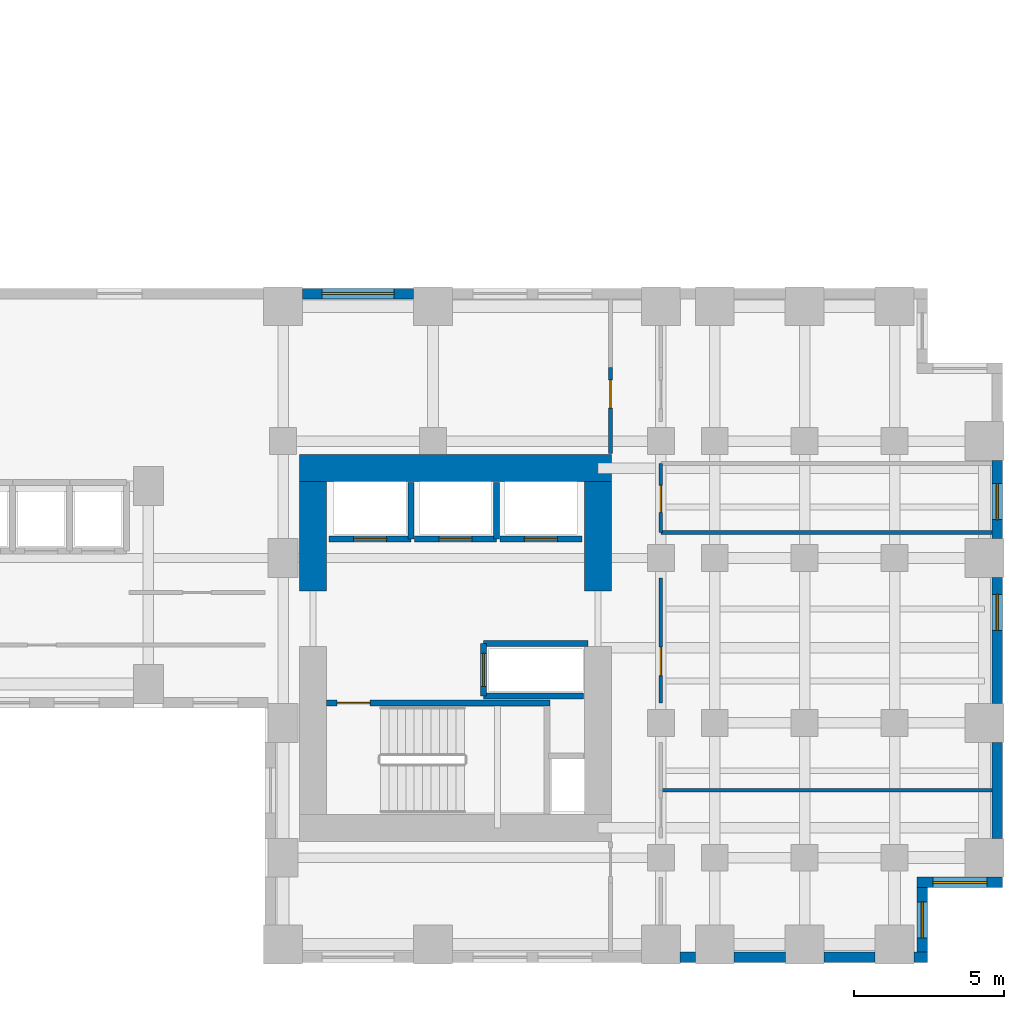
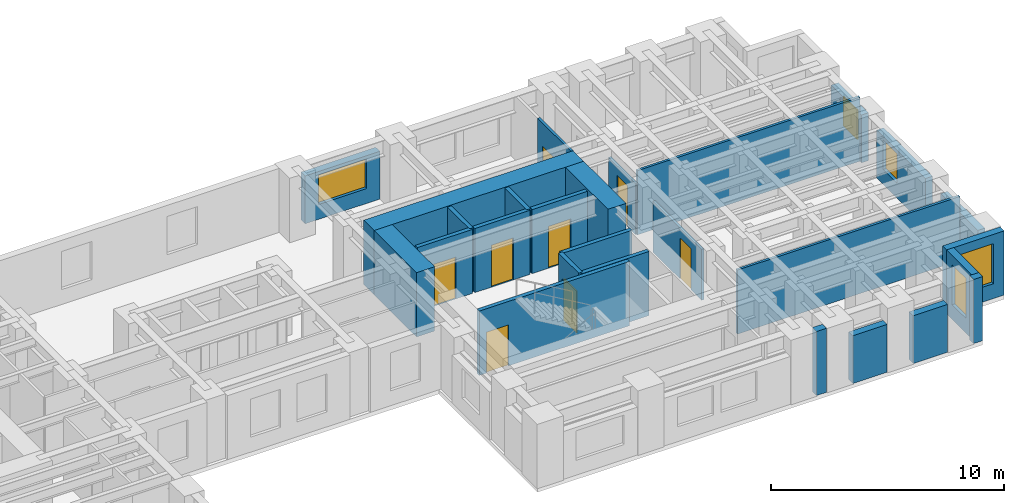
# One storey, part 7 of 11: 27 walls, 8 doors, 5 windows, 13 openings.
"""IFC4 building model written with IfcOpenShell, lengths in metres."""

from ifc_helpers import new_model, si_unit, direction, frame, frame_2d, origin, place, context, subcontext, project, spatial, rectangle, extrude, source, transform, mapped, material, layer, layer_set, type_object, element, fill, save


model = new_model("IFC4")

# Units and contexts
model_context = context("Model", 3, precision=1e-05, world=origin(), true_north=direction((0.0, 1.0)))
body_context = subcontext(model_context, "Body", "Model", "MODEL_VIEW")
ifc_project = project(units=[si_unit("LENGTHUNIT", "METRE"), si_unit("AREAUNIT", "SQUARE_METRE"), si_unit("VOLUMEUNIT", "CUBIC_METRE"), si_unit("PLANEANGLEUNIT", "RADIAN"), si_unit("MASSUNIT", "GRAM", prefix="KILO")], contexts=[model_context])

# Site, building, storey
site_placement = place(None, origin())
site = spatial("IfcSite", under=ifc_project, at=site_placement, CompositionType="ELEMENT")
building_placement = place(site_placement, origin())
building = spatial("IfcBuilding", under=site, at=building_placement, Name="Kharzan Plaza Tower", CompositionType="ELEMENT")
storey_placement = place(building_placement, frame((0.0, 0.0, 54.89990234375)))
storey = spatial("IfcBuildingStorey", under=building, at=storey_placement, Name="L14", CompositionType="ELEMENT", Elevation=54.89990234375)

# Wall, opening, window
ifc_material_1 = material(Name="Concrete C40/50", Category="concrete")
ifc_layer_1 = layer(ifc_material_1, 0.35009765625)
ifc_layer_set_1 = layer_set([ifc_layer_1], Name="Concrete C40/50")
wall_type_1 = type_object("IfcWallType", Name="WL-EXT-MAS-Z1", PredefinedType="SOLIDWALL", material=ifc_layer_set_1)
wall_1_placement = place(storey_placement, frame((56.324951171875, 0.347900390625, 0.0), z_axis=(0.0, 0.0, 1.0), x_axis=(0.0, 1.0, 0.0)))
wall_1 = element("IfcWall", 1, at=wall_1_placement, inside=storey, type_object=wall_type_1, Name="L14 Masonry-Frame Exterior Wall 39", PredefinedType="SOLIDWALL", context=body_context, shape_type="SweptSolid", body=[
    extrude(rectangle(XDim=2.154052734375, YDim=0.35009765625, at=frame_2d((1.0771484375, 0.0))), origin(), (0.0, 0.0, 1.0), 3.364990234375),
])
opening_1_placement = place(wall_1_placement, frame((0.47705078125, 0.0, 0.780029296875)))
opening_1 = element("IfcOpeningElement", 2, at=opening_1_placement, cuts=wall_1, Name="Opening W3", PredefinedType="OPENING", context=body_context, shape_type="SweptSolid", body=[
    extrude(rectangle(XDim=1.199951171875, YDim=2.10009765625, at=frame_2d((0.60009765625, 1.050048828125))), frame((0.0, 0.18505859375, 0.0), z_axis=(0.0, -1.0, 0.0), x_axis=(1.0, 0.0, 0.0)), (0.0, 0.0, 1.0), 0.3701171875),
])
ifc_material_2 = material(Name="Low-E Double Glazing", Category="glass")
window_type_1 = type_object("IfcWindowType", Name="WN-REC-1200x2100", PartitioningType="SINGLE_PANEL", PredefinedType="WINDOW", material=ifc_material_2)
shared_shape_1 = source(origin(), body_context, "Body", "SweptSolid", [
    extrude(rectangle(XDim=1.199951171875, YDim=2.10009765625, at=frame_2d((0.60009765625, 1.050048828125))), frame((0.0, 0.030029296875, 0.0), z_axis=(0.0, -1.0, 0.0), x_axis=(1.0, 0.0, 0.0)), (0.0, 0.0, 1.0), 0.06005859375),
])
window_1_placement = place(opening_1_placement, origin())
window_1 = element("IfcWindow", 3, at=window_1_placement, inside=storey, type_object=window_type_1, Name="L14 Recessed Solar-Control Window 39-1", OverallHeight=2.10009765625, OverallWidth=1.199951171875, PartitioningType="SINGLE_PANEL", PredefinedType="WINDOW", context=body_context, shape_type="MappedRepresentation", body=[
    mapped(shared_shape_1, transform((0.0, 0.0, 0.0), x_axis=(1.0, 0.0, 0.0), y_axis=(0.0, 1.0, 0.0), z_axis=(0.0, 0.0, 1.0))),
])
fill(opening_1, window_1)

wall_2_placement = place(storey_placement, frame((56.14990234375, 2.675048828125, 0.0), z_axis=(0.0, 0.0, 1.0), x_axis=(1.0, 0.0, 0.0)))
wall_2 = element("IfcWall", 4, at=wall_2_placement, inside=storey, type_object=wall_type_1, Name="L14 Masonry-Frame Exterior Wall 40", PredefinedType="SOLIDWALL", context=body_context, shape_type="SweptSolid", body=[
    extrude(rectangle(XDim=2.85009765625, YDim=0.35009765625, at=frame_2d((1.425048828125, 0.0))), origin(), (0.0, 0.0, 1.0), 3.364990234375),
])
opening_2_placement = place(wall_2_placement, frame((0.52490234375, 0.0, 0.780029296875)))
opening_2 = element("IfcOpeningElement", 5, at=opening_2_placement, cuts=wall_2, Name="Opening W1", PredefinedType="OPENING", context=body_context, shape_type="SweptSolid", body=[
    extrude(rectangle(XDim=1.800048828125, YDim=2.10009765625, at=frame_2d((0.89990234375, 1.050048828125))), frame((0.0, 0.18505859375, 0.0), z_axis=(0.0, -1.0, 0.0), x_axis=(1.0, 0.0, 0.0)), (0.0, 0.0, 1.0), 0.3701171875),
])
window_type_2 = type_object("IfcWindowType", Name="WN-REC-1800x2100", PartitioningType="SINGLE_PANEL", PredefinedType="WINDOW", material=ifc_material_2)
shared_shape_2 = source(origin(), body_context, "Body", "SweptSolid", [
    extrude(rectangle(XDim=1.800048828125, YDim=2.10009765625, at=frame_2d((0.89990234375, 1.050048828125))), frame((0.0, 0.030029296875, 0.0), z_axis=(0.0, -1.0, 0.0), x_axis=(1.0, 0.0, 0.0)), (0.0, 0.0, 1.0), 0.06005859375),
])
window_2_placement = place(opening_2_placement, origin())
window_2 = element("IfcWindow", 6, at=window_2_placement, inside=storey, type_object=window_type_2, Name="L14 Recessed Solar-Control Window 40-1", OverallHeight=2.10009765625, OverallWidth=1.800048828125, PartitioningType="SINGLE_PANEL", PredefinedType="WINDOW", context=body_context, shape_type="MappedRepresentation", body=[
    mapped(shared_shape_2, transform((0.0, 0.0, 0.0), x_axis=(1.0, 0.0, 0.0), y_axis=(0.0, 1.0, 0.0), z_axis=(0.0, 0.0, 1.0))),
])
fill(opening_2, window_2)

wall_3_placement = place(storey_placement, frame((58.824951171875, 8.64794921875, 0.0), z_axis=(0.0, 0.0, 1.0), x_axis=(0.0, 1.0, 0.0)))
wall_3 = element("IfcWall", 7, at=wall_3_placement, inside=storey, type_object=wall_type_1, Name="L14 Masonry-Frame Exterior Wall 42", PredefinedType="SOLIDWALL", context=body_context, shape_type="SweptSolid", body=[
    extrude(rectangle(XDim=4.2041015625, YDim=0.35009765625, at=frame_2d((2.10205078125, 0.0))), origin(), (0.0, 0.0, 1.0), 2.510009765625),
])
opening_3_placement = place(wall_3_placement, frame((2.436767578125, 0.0, 0.780029296875)))
opening_3 = element("IfcOpeningElement", 8, at=opening_3_placement, cuts=wall_3, Name="Opening W3", PredefinedType="OPENING", context=body_context, shape_type="SweptSolid", body=[
    extrude(rectangle(XDim=1.199951171875, YDim=1.550048828125, at=frame_2d((0.60009765625, 0.77490234375))), frame((0.0, 0.18505859375, 0.0), z_axis=(0.0, -1.0, 0.0), x_axis=(1.0, 0.0, 0.0)), (0.0, 0.0, 1.0), 0.3701171875),
])
shared_shape_3 = source(origin(), body_context, "Body", "SweptSolid", [
    extrude(rectangle(XDim=1.199951171875, YDim=1.550048828125, at=frame_2d((0.60009765625, 0.77490234375))), frame((0.0, 0.030029296875, 0.0), z_axis=(0.0, -1.0, 0.0), x_axis=(1.0, 0.0, 0.0)), (0.0, 0.0, 1.0), 0.06005859375),
])
window_3_placement = place(opening_3_placement, origin())
window_3 = element("IfcWindow", 9, at=window_3_placement, inside=storey, type_object=window_type_1, Name="L14 Recessed Solar-Control Window 42-1", OverallHeight=1.550048828125, OverallWidth=1.199951171875, PartitioningType="SINGLE_PANEL", PredefinedType="WINDOW", context=body_context, shape_type="MappedRepresentation", body=[
    mapped(shared_shape_3, transform((0.0, 0.0, 0.0), x_axis=(1.0, 0.0, 0.0), y_axis=(0.0, 1.0, 0.0), z_axis=(0.0, 0.0, 1.0))),
])
fill(opening_3, window_3)

wall_4_placement = place(storey_placement, frame((58.824951171875, 14.14794921875, 0.0), z_axis=(0.0, 0.0, 1.0), x_axis=(0.0, 1.0, 0.0)))
wall_4 = element("IfcWall", 10, at=wall_4_placement, inside=storey, type_object=wall_type_1, Name="L14 Masonry-Frame Exterior Wall 43", PredefinedType="SOLIDWALL", context=body_context, shape_type="SweptSolid", body=[
    extrude(rectangle(XDim=2.60400390625, YDim=0.35009765625, at=frame_2d((1.302001953125, 0.0))), origin(), (0.0, 0.0, 1.0), 2.510009765625),
])
opening_4_placement = place(wall_4_placement, frame((0.63330078125, 0.0, 0.780029296875)))
opening_4 = element("IfcOpeningElement", 11, at=opening_4_placement, cuts=wall_4, Name="Opening W3", PredefinedType="OPENING", context=body_context, shape_type="SweptSolid", body=[
    extrude(rectangle(XDim=1.199951171875, YDim=1.550048828125, at=frame_2d((0.60009765625, 0.77490234375))), frame((0.0, 0.18505859375, 0.0), z_axis=(0.0, -1.0, 0.0), x_axis=(1.0, 0.0, 0.0)), (0.0, 0.0, 1.0), 0.3701171875),
])
window_4_placement = place(opening_4_placement, origin())
window_4 = element("IfcWindow", 12, at=window_4_placement, inside=storey, type_object=window_type_1, Name="L14 Recessed Solar-Control Window 43-1", OverallHeight=1.550048828125, OverallWidth=1.199951171875, PartitioningType="SINGLE_PANEL", PredefinedType="WINDOW", context=body_context, shape_type="MappedRepresentation", body=[
    mapped(shared_shape_3, transform((0.0, 0.0, 0.0), x_axis=(1.0, 0.0, 0.0), y_axis=(0.0, 1.0, 0.0), z_axis=(0.0, 0.0, 1.0))),
])
fill(opening_4, window_4)

wall_5_placement = place(storey_placement, frame((39.35205078125, 22.324951171875, 0.0), z_axis=(0.0, 0.0, 1.0), x_axis=(-1.0, 0.0, 0.0)))
wall_5 = element("IfcWall", 13, at=wall_5_placement, inside=storey, type_object=wall_type_1, Name="L14 Masonry-Frame Exterior Wall 52", PredefinedType="SOLIDWALL", context=body_context, shape_type="SweptSolid", body=[
    extrude(rectangle(XDim=3.7041015625, YDim=0.35009765625, at=frame_2d((1.85205078125, 0.0))), origin(), (0.0, 0.0, 1.0), 2.510009765625),
])
opening_5_placement = place(wall_5_placement, frame((0.652099609375, 0.0, 0.780029296875)))
opening_5 = element("IfcOpeningElement", 14, at=opening_5_placement, cuts=wall_5, Name="Opening W2", PredefinedType="OPENING", context=body_context, shape_type="SweptSolid", body=[
    extrude(rectangle(XDim=2.39990234375, YDim=1.550048828125, at=frame_2d((1.199951171875, 0.77490234375))), frame((0.0, 0.18505859375, 0.0), z_axis=(0.0, -1.0, 0.0), x_axis=(1.0, 0.0, 0.0)), (0.0, 0.0, 1.0), 0.3701171875),
])
window_type_3 = type_object("IfcWindowType", Name="WN-REC-2400x2100", PartitioningType="SINGLE_PANEL", PredefinedType="WINDOW", material=ifc_material_2)
shared_shape_4 = source(origin(), body_context, "Body", "SweptSolid", [
    extrude(rectangle(XDim=2.39990234375, YDim=1.550048828125, at=frame_2d((1.199951171875, 0.77490234375))), frame((0.0, 0.030029296875, 0.0), z_axis=(0.0, -1.0, 0.0), x_axis=(1.0, 0.0, 0.0)), (0.0, 0.0, 1.0), 0.06005859375),
])
window_5_placement = place(opening_5_placement, origin())
window_5 = element("IfcWindow", 15, at=window_5_placement, inside=storey, type_object=window_type_3, Name="L14 Wide Recessed Solar-Control Window 52-1", OverallHeight=1.550048828125, OverallWidth=2.39990234375, PartitioningType="SINGLE_PANEL", PredefinedType="WINDOW", context=body_context, shape_type="MappedRepresentation", body=[
    mapped(shared_shape_4, transform((0.0, 0.0, 0.0), x_axis=(1.0, 0.0, 0.0), y_axis=(0.0, 1.0, 0.0), z_axis=(0.0, 0.0, 1.0))),
])
fill(opening_5, window_5)

# Wall, opening, door
ifc_material_3 = material(Name="Fire-Rated Gypsum Board Partition", Category="gypsum")
ifc_layer_2 = layer(ifc_material_3, 0.125)
ifc_layer_set_2 = layer_set([ifc_layer_2], Name="Fire-Rated Gypsum Board Partition")
wall_type_2 = type_object("IfcWallType", Name="WL-INT-PART-125", PredefinedType="PARTITIONING", material=ifc_layer_set_2)
wall_6_placement = place(storey_placement, frame((47.60009765625, 8.659912109375, 0.0), z_axis=(0.0, 0.0, 1.0), x_axis=(0.0, 1.0, 0.0)))
wall_6 = element("IfcWall", 16, at=wall_6_placement, inside=storey, type_object=wall_type_2, Name="L14 Interior Partition SH-B3W1-S2", PredefinedType="PARTITIONING", context=body_context, shape_type="SweptSolid", body=[
    extrude(rectangle(XDim=4.18017578125, YDim=0.125, at=frame_2d((2.090087890625, 0.0))), origin(), (0.0, 0.0, 1.0), 2.670166015625),
])
opening_6_placement = place(wall_6_placement, frame((0.9150390625, 0.0, 0.0)))
opening_6 = element("IfcOpeningElement", 17, at=opening_6_placement, cuts=wall_6, Name="Opening OD1", PredefinedType="OPENING", context=body_context, shape_type="SweptSolid", body=[
    extrude(rectangle(XDim=0.949951171875, YDim=2.14990234375, at=frame_2d((0.47509765625, 1.074951171875))), frame((0.0, 0.072509765625, 0.0), z_axis=(0.0, -1.0, 0.0), x_axis=(1.0, 0.0, 0.0)), (0.0, 0.0, 1.0), 0.14501953125),
])
ifc_material_4 = material(Name="Acoustic Solid-Core Stained Oak", Category="timber")
door_type_1 = type_object("IfcDoorType", Name="DR-OFF-SINGLE", OperationType="NOTDEFINED", PredefinedType="DOOR", material=ifc_material_4)
shared_shape_5 = source(origin(), body_context, "Body", "SweptSolid", [
    extrude(rectangle(XDim=0.949951171875, YDim=2.14990234375, at=frame_2d((0.47509765625, 1.074951171875))), frame((0.0, 0.02490234375, 0.0), z_axis=(0.0, -1.0, 0.0), x_axis=(1.0, 0.0, 0.0)), (0.0, 0.0, 1.0), 0.050048828125),
])
door_1_placement = place(opening_6_placement, origin())
door_1 = element("IfcDoor", 18, at=door_1_placement, inside=storey, type_object=door_type_1, Name="L14 Wing B Office 2 Door", OperationType="SINGLE_SWING_RIGHT", OverallHeight=2.14990234375, OverallWidth=0.949951171875, PredefinedType="DOOR", context=body_context, shape_type="MappedRepresentation", body=[
    mapped(shared_shape_5, transform((0.0, 0.0, 0.0), x_axis=(1.0, 0.0, 0.0), y_axis=(0.0, 1.0, 0.0), z_axis=(0.0, 0.0, 1.0))),
])
fill(opening_6, door_1)

wall_7_placement = place(storey_placement, frame((47.60009765625, 14.35009765625, 0.0), z_axis=(0.0, 0.0, 1.0), x_axis=(0.0, 1.0, 0.0)))
wall_7 = element("IfcWall", 19, at=wall_7_placement, inside=storey, type_object=wall_type_2, Name="L14 Interior Partition SH-B3WC", PredefinedType="PARTITIONING", context=body_context, shape_type="SweptSolid", body=[
    extrude(rectangle(XDim=2.2998046875, YDim=0.125, at=frame_2d((1.14990234375, 0.0))), origin(), (0.0, 0.0, 1.0), 2.670166015625),
])
opening_7_placement = place(wall_7_placement, frame((0.675048828125, 0.0, 0.0)))
opening_7 = element("IfcOpeningElement", 20, at=opening_7_placement, cuts=wall_7, Name="Opening WD1", PredefinedType="OPENING", context=body_context, shape_type="SweptSolid", body=[
    extrude(rectangle(XDim=0.89990234375, YDim=2.14990234375, at=frame_2d((0.449951171875, 1.074951171875))), frame((0.0, 0.072509765625, 0.0), z_axis=(0.0, -1.0, 0.0), x_axis=(1.0, 0.0, 0.0)), (0.0, 0.0, 1.0), 0.14501953125),
])
ifc_material_5 = material(Name="Moisture-Resistant Fire-Rated Laminate", Category="timber")
door_type_2 = type_object("IfcDoorType", Name="DR-WC-900", OperationType="NOTDEFINED", PredefinedType="DOOR", material=ifc_material_5)
shared_shape_6 = source(origin(), body_context, "Body", "SweptSolid", [
    extrude(rectangle(XDim=0.89990234375, YDim=2.14990234375, at=frame_2d((0.449951171875, 1.074951171875))), frame((0.0, 0.02490234375, 0.0), z_axis=(0.0, -1.0, 0.0), x_axis=(1.0, 0.0, 0.0)), (0.0, 0.0, 1.0), 0.050048828125),
])
door_2_placement = place(opening_7_placement, origin())
door_2 = element("IfcDoor", 21, at=door_2_placement, inside=storey, type_object=door_type_2, Name="L14 Wing B Washroom Door", OperationType="SINGLE_SWING_LEFT", OverallHeight=2.14990234375, OverallWidth=0.89990234375, PredefinedType="DOOR", context=body_context, shape_type="MappedRepresentation", body=[
    mapped(shared_shape_6, transform((0.0, 0.0, 0.0), x_axis=(1.0, 0.0, 0.0), y_axis=(0.0, 1.0, 0.0), z_axis=(0.0, 0.0, 1.0))),
])
fill(opening_7, door_2)

wall_8_placement = place(storey_placement, frame((45.919921875, 16.97998046875, 0.0), z_axis=(0.0, 0.0, 1.0), x_axis=(0.0, 1.0, 0.0)))
wall_8 = element("IfcWall", 22, at=wall_8_placement, inside=storey, type_object=wall_type_2, Name="L14 Interior Partition SH-RBNE", PredefinedType="PARTITIONING", context=body_context, shape_type="SweptSolid", body=[
    extrude(rectangle(XDim=2.8701171875, YDim=0.125, at=frame_2d((1.43505859375, 0.0))), origin(), (0.0, 0.0, 1.0), 3.364990234375),
])
opening_8_placement = place(wall_8_placement, frame((1.51708984375, 0.0, 0.0)))
opening_8 = element("IfcOpeningElement", 23, at=opening_8_placement, cuts=wall_8, Name="Opening OD1", PredefinedType="OPENING", context=body_context, shape_type="SweptSolid", body=[
    extrude(rectangle(XDim=0.949951171875, YDim=2.14990234375, at=frame_2d((0.47509765625, 1.074951171875))), frame((0.0, 0.072509765625, 0.0), z_axis=(0.0, -1.0, 0.0), x_axis=(1.0, 0.0, 0.0)), (0.0, 0.0, 1.0), 0.14501953125),
])
door_3_placement = place(opening_8_placement, origin())
door_3 = element("IfcDoor", 24, at=door_3_placement, inside=storey, type_object=door_type_1, Name="L14 Wing B North Studio Door", OperationType="SINGLE_SWING_RIGHT", OverallHeight=2.14990234375, OverallWidth=0.949951171875, PredefinedType="DOOR", context=body_context, shape_type="MappedRepresentation", body=[
    mapped(shared_shape_5, transform((0.0, 0.0, 0.0), x_axis=(1.0, 0.0, 0.0), y_axis=(0.0, 1.0, 0.0), z_axis=(0.0, 0.0, 1.0))),
])
fill(opening_8, door_3)

ifc_layer_3 = layer(ifc_material_1, 0.199951171875)
ifc_layer_set_3 = layer_set([ifc_layer_3], Name="Concrete C40/50")
wall_type_3 = type_object("IfcWallType", Name="WL-INT-SHAFT-200", PredefinedType="PARTITIONING", material=ifc_layer_set_3)
wall_9_placement = place(storey_placement, frame((36.530029296875, 14.1298828125, 0.0), z_axis=(0.0, 0.0, 1.0), x_axis=(1.0, 0.0, 0.0)))
wall_9 = element("IfcWall", 25, at=wall_9_placement, inside=storey, type_object=wall_type_3, Name="L14 Interior Partition SHF-PL-L1-S", PredefinedType="PARTITIONING", context=body_context, shape_type="SweptSolid", body=[
    extrude(rectangle(XDim=2.739990234375, YDim=0.199951171875, at=frame_2d((1.3701171875, 0.0))), origin(), (0.0, 0.0, 1.0), 3.364990234375),
])
opening_9_placement = place(wall_9_placement, frame((0.820068359375, 0.0, 0.0)))
opening_9 = element("IfcOpeningElement", 26, at=opening_9_placement, cuts=wall_9, Name="Opening LD", PredefinedType="OPENING", context=body_context, shape_type="SweptSolid", body=[
    extrude(rectangle(XDim=1.10009765625, YDim=2.199951171875, at=frame_2d((0.550048828125, 1.10009765625))), frame((0.0, 0.10986328125, 0.0), z_axis=(0.0, -1.0, 0.0), x_axis=(1.0, 0.0, 0.0)), (0.0, 0.0, 1.0), 0.219970703125),
])
ifc_material_6 = material(Name="Brushed Stainless Steel", Category="steel")
door_type_3 = type_object("IfcDoorType", Name="DR-LIFT-SLIDE", OperationType="SLIDING_TO_LEFT", PredefinedType="DOOR", material=ifc_material_6)
shared_shape_7 = source(origin(), body_context, "Body", "SweptSolid", [
    extrude(rectangle(XDim=1.10009765625, YDim=2.199951171875, at=frame_2d((0.550048828125, 1.10009765625))), frame((0.0, 0.02490234375, 0.0), z_axis=(0.0, -1.0, 0.0), x_axis=(1.0, 0.0, 0.0)), (0.0, 0.0, 1.0), 0.050048828125),
])
door_4_placement = place(opening_9_placement, origin())
door_4 = element("IfcDoor", 27, at=door_4_placement, inside=storey, type_object=door_type_3, Name="L14 Low-Rise Passenger Lift PL-L1 Sliding Landing Door", OperationType="SLIDING_TO_LEFT", OverallHeight=2.199951171875, OverallWidth=1.10009765625, PredefinedType="DOOR", context=body_context, shape_type="MappedRepresentation", body=[
    mapped(shared_shape_7, transform((0.0, 0.0, 0.0), x_axis=(1.0, 0.0, 0.0), y_axis=(0.0, 1.0, 0.0), z_axis=(0.0, 0.0, 1.0))),
])
fill(opening_9, door_4)

wall_10_placement = place(storey_placement, frame((39.3798828125, 14.1298828125, 0.0), z_axis=(0.0, 0.0, 1.0), x_axis=(1.0, 0.0, 0.0)))
wall_10 = element("IfcWall", 28, at=wall_10_placement, inside=storey, type_object=wall_type_3, Name="L14 Interior Partition SHF-PL-L2-S", PredefinedType="PARTITIONING", context=body_context, shape_type="SweptSolid", body=[
    extrude(rectangle(XDim=2.740234375, YDim=0.199951171875, at=frame_2d((1.3701171875, 0.0))), origin(), (0.0, 0.0, 1.0), 3.364990234375),
])
opening_10_placement = place(wall_10_placement, frame((0.820068359375, 0.0, 0.0)))
opening_10 = element("IfcOpeningElement", 29, at=opening_10_placement, cuts=wall_10, Name="Opening LD", PredefinedType="OPENING", context=body_context, shape_type="SweptSolid", body=[
    extrude(rectangle(XDim=1.10009765625, YDim=2.199951171875, at=frame_2d((0.550048828125, 1.10009765625))), frame((0.0, 0.10986328125, 0.0), z_axis=(0.0, -1.0, 0.0), x_axis=(1.0, 0.0, 0.0)), (0.0, 0.0, 1.0), 0.219970703125),
])
door_5_placement = place(opening_10_placement, origin())
door_5 = element("IfcDoor", 30, at=door_5_placement, inside=storey, type_object=door_type_3, Name="L14 Low-Rise Passenger Lift PL-L2 Sliding Landing Door", OperationType="SLIDING_TO_LEFT", OverallHeight=2.199951171875, OverallWidth=1.10009765625, PredefinedType="DOOR", context=body_context, shape_type="MappedRepresentation", body=[
    mapped(shared_shape_7, transform((0.0, 0.0, 0.0), x_axis=(1.0, 0.0, 0.0), y_axis=(0.0, 1.0, 0.0), z_axis=(0.0, 0.0, 1.0))),
])
fill(opening_10, door_5)

wall_11_placement = place(storey_placement, frame((42.22998046875, 14.1298828125, 0.0), z_axis=(0.0, 0.0, 1.0), x_axis=(1.0, 0.0, 0.0)))
wall_11 = element("IfcWall", 31, at=wall_11_placement, inside=storey, type_object=wall_type_3, Name="L14 Interior Partition SHF-PL-L3-S", PredefinedType="PARTITIONING", context=body_context, shape_type="SweptSolid", body=[
    extrude(rectangle(XDim=2.739990234375, YDim=0.199951171875, at=frame_2d((1.3701171875, 0.0))), origin(), (0.0, 0.0, 1.0), 3.364990234375),
])
opening_11_placement = place(wall_11_placement, frame((0.820068359375, 0.0, 0.0)))
opening_11 = element("IfcOpeningElement", 32, at=opening_11_placement, cuts=wall_11, Name="Opening LD", PredefinedType="OPENING", context=body_context, shape_type="SweptSolid", body=[
    extrude(rectangle(XDim=1.10009765625, YDim=2.199951171875, at=frame_2d((0.550048828125, 1.10009765625))), frame((0.0, 0.10986328125, 0.0), z_axis=(0.0, -1.0, 0.0), x_axis=(1.0, 0.0, 0.0)), (0.0, 0.0, 1.0), 0.219970703125),
])
door_6_placement = place(opening_11_placement, origin())
door_6 = element("IfcDoor", 33, at=door_6_placement, inside=storey, type_object=door_type_3, Name="L14 Low-Rise Passenger Lift PL-L3 Sliding Landing Door", OperationType="SLIDING_TO_LEFT", OverallHeight=2.199951171875, OverallWidth=1.10009765625, PredefinedType="DOOR", context=body_context, shape_type="MappedRepresentation", body=[
    mapped(shared_shape_7, transform((0.0, 0.0, 0.0), x_axis=(1.0, 0.0, 0.0), y_axis=(0.0, 1.0, 0.0), z_axis=(0.0, 0.0, 1.0))),
])
fill(opening_11, door_6)

wall_12_placement = place(storey_placement, frame((41.679931640625, 8.89990234375, 0.0), z_axis=(0.0, 0.0, 1.0), x_axis=(0.0, 1.0, 0.0)))
wall_12 = element("IfcWall", 34, at=wall_12_placement, inside=storey, type_object=wall_type_3, Name="L14 Interior Partition SHF-SVL-2-W", PredefinedType="PARTITIONING", context=body_context, shape_type="SweptSolid", body=[
    extrude(rectangle(XDim=1.739990234375, YDim=0.199951171875, at=frame_2d((0.8701171875, 0.0))), origin(), (0.0, 0.0, 1.0), 3.364990234375),
])
opening_12_placement = place(wall_12_placement, frame((0.320068359375, 0.0, 0.0)))
opening_12 = element("IfcOpeningElement", 35, at=opening_12_placement, cuts=wall_12, Name="Opening LD", PredefinedType="OPENING", context=body_context, shape_type="SweptSolid", body=[
    extrude(rectangle(XDim=1.10009765625, YDim=2.199951171875, at=frame_2d((0.550048828125, 1.10009765625))), frame((0.0, 0.10986328125, 0.0), z_axis=(0.0, -1.0, 0.0), x_axis=(1.0, 0.0, 0.0)), (0.0, 0.0, 1.0), 0.219970703125),
])
door_7_placement = place(opening_12_placement, origin())
door_7 = element("IfcDoor", 36, at=door_7_placement, inside=storey, type_object=door_type_3, Name="L14 Service Lift SVL-2 Sliding Landing Door", OperationType="SLIDING_TO_LEFT", OverallHeight=2.199951171875, OverallWidth=1.10009765625, PredefinedType="DOOR", context=body_context, shape_type="MappedRepresentation", body=[
    mapped(shared_shape_7, transform((0.0, 0.0, 0.0), x_axis=(1.0, 0.0, 0.0), y_axis=(0.0, 1.0, 0.0), z_axis=(0.0, 0.0, 1.0))),
])
fill(opening_12, door_7)

ifc_material_7 = material(Name="Concrete C50/60", Category="concrete")
ifc_layer_4 = layer(ifc_material_7, 0.199951171875)
ifc_layer_set_4 = layer_set([ifc_layer_4], Name="Concrete C50/60")
wall_type_4 = type_object("IfcWallType", Name="WL-SHAFT-RC200", PredefinedType="SHEAR", material=ifc_layer_set_4)
wall_13_placement = place(storey_placement, frame((36.451904296875, 8.655029296875, 0.0), z_axis=(0.0, 0.0, 1.0), x_axis=(1.0, 0.0, 0.0)))
wall_13 = element("IfcWall", 37, at=wall_13_placement, inside=storey, type_object=wall_type_4, Name="L14 Stair ST-3 North RC Shaft Wall", PredefinedType="SHEAR", context=body_context, shape_type="SweptSolid", body=[
    extrude(rectangle(XDim=7.453125, YDim=0.199951171875, at=frame_2d((3.7265625, 0.0))), origin(), (0.0, 0.0, 1.0), 3.380126953125),
])
opening_13_placement = place(wall_13_placement, frame((0.35009765625, 0.0, 0.0)))
opening_13 = element("IfcOpeningElement", 38, at=opening_13_placement, cuts=wall_13, Name="Opening SD1", PredefinedType="OPENING", context=body_context, shape_type="SweptSolid", body=[
    extrude(rectangle(XDim=1.10009765625, YDim=2.14990234375, at=frame_2d((0.550048828125, 1.074951171875))), frame((0.0, 0.10986328125, 0.0), z_axis=(0.0, -1.0, 0.0), x_axis=(1.0, 0.0, 0.0)), (0.0, 0.0, 1.0), 0.219970703125),
])
ifc_material_8 = material(Name="Fire-Rated Hollow Galvanized Steel", Category="steel")
door_type_4 = type_object("IfcDoorType", Name="DR-STAIR-FD120", OperationType="NOTDEFINED", PredefinedType="DOOR", material=ifc_material_8)
shared_shape_8 = source(origin(), body_context, "Body", "SweptSolid", [
    extrude(rectangle(XDim=1.10009765625, YDim=2.14990234375, at=frame_2d((0.550048828125, 1.074951171875))), frame((0.0, 0.02490234375, 0.0), z_axis=(0.0, -1.0, 0.0), x_axis=(1.0, 0.0, 0.0)), (0.0, 0.0, 1.0), 0.050048828125),
])
door_8_placement = place(opening_13_placement, origin())
door_8 = element("IfcDoor", 39, at=door_8_placement, inside=storey, type_object=door_type_4, Name="L14 Stair ST-3 Fire Exit Door", OperationType="SINGLE_SWING_RIGHT", OverallHeight=2.14990234375, OverallWidth=1.10009765625, PredefinedType="DOOR", context=body_context, shape_type="MappedRepresentation", body=[
    mapped(shared_shape_8, transform((0.0, 0.0, 0.0), x_axis=(1.0, 0.0, 0.0), y_axis=(0.0, 1.0, 0.0), z_axis=(0.0, 0.0, 1.0))),
])
fill(opening_13, door_8)

# Walls
shared_shape_9 = source(origin(), body_context, "Body", "SweptSolid", [
    extrude(rectangle(XDim=0.50390625, YDim=0.35009765625, at=frame_2d((0.251953125, 0.0))), origin(), (0.0, 0.0, 1.0), 3.364990234375),
])
wall_14_placement = place(storey_placement, frame((48.248046875, 0.175048828125, 0.0), z_axis=(0.0, 0.0, 1.0), x_axis=(1.0, 0.0, 0.0)))
element("IfcWall", 40, at=wall_14_placement, inside=storey, type_object=wall_type_1, Name="L14 Masonry-Frame Exterior Wall 35", PredefinedType="SOLIDWALL", context=body_context, shape_type="MappedRepresentation", body=[
    mapped(shared_shape_9, transform((0.0, 0.0, 0.0), x_axis=(1.0, 0.0, 0.0), y_axis=(0.0, 1.0, 0.0), z_axis=(0.0, 0.0, 1.0))),
])
shared_shape_10 = source(origin(), body_context, "Body", "SweptSolid", [
    extrude(rectangle(XDim=1.703857421875, YDim=0.35009765625, at=frame_2d((0.85205078125, 0.0))), origin(), (0.0, 0.0, 1.0), 2.510009765625),
])
for number, where, z_axis, x_axis, name in (
    (41, (50.048095703125, 0.175048828125, 0.0), (0.0, 0.0, 1.0), (1.0, 0.0, 0.0), "L14 Masonry-Frame Exterior Wall 36"),
    (42, (53.048095703125, 0.175048828125, 0.0), (0.0, 0.0, 1.0), (1.0, 0.0, 0.0), "L14 Masonry-Frame Exterior Wall 37"),
):
    element("IfcWall", number, at=place(storey_placement, frame(where, z_axis=z_axis, x_axis=x_axis)), inside=storey, type_object=wall_type_1, Name=name, PredefinedType="SOLIDWALL", context=body_context, shape_type="MappedRepresentation", body=[
        mapped(shared_shape_10, transform((0.0, 0.0, 0.0), x_axis=(1.0, 0.0, 0.0), y_axis=(0.0, 1.0, 0.0), z_axis=(0.0, 0.0, 1.0))),
    ])
shared_shape_11 = source(origin(), body_context, "Body", "SweptSolid", [
    extrude(rectangle(XDim=0.451904296875, YDim=0.35009765625, at=frame_2d((0.22607421875, 0.0))), origin(), (0.0, 0.0, 1.0), 3.364990234375),
])
wall_15_placement = place(storey_placement, frame((56.048095703125, 0.175048828125, 0.0), z_axis=(0.0, 0.0, 1.0), x_axis=(1.0, 0.0, 0.0)))
element("IfcWall", 43, at=wall_15_placement, inside=storey, type_object=wall_type_1, Name="L14 Masonry-Frame Exterior Wall 38", PredefinedType="SOLIDWALL", context=body_context, shape_type="MappedRepresentation", body=[
    mapped(shared_shape_11, transform((0.0, 0.0, 0.0), x_axis=(1.0, 0.0, 0.0), y_axis=(0.0, 1.0, 0.0), z_axis=(0.0, 0.0, 1.0))),
])
shared_shape_12 = source(origin(), body_context, "Body", "SweptSolid", [
    extrude(rectangle(XDim=3.2041015625, YDim=0.35009765625, at=frame_2d((1.60205078125, 0.0))), origin(), (0.0, 0.0, 1.0), 2.510009765625),
])
wall_16_placement = place(storey_placement, frame((58.824951171875, 4.14794921875, 0.0), z_axis=(0.0, 0.0, 1.0), x_axis=(0.0, 1.0, 0.0)))
element("IfcWall", 44, at=wall_16_placement, inside=storey, type_object=wall_type_1, Name="L14 Masonry-Frame Exterior Wall 41", PredefinedType="SOLIDWALL", context=body_context, shape_type="MappedRepresentation", body=[
    mapped(shared_shape_12, transform((0.0, 0.0, 0.0), x_axis=(1.0, 0.0, 0.0), y_axis=(0.0, 1.0, 0.0), z_axis=(0.0, 0.0, 1.0))),
])
shared_shape_13 = source(origin(), body_context, "Body", "SweptSolid", [
    extrude(rectangle(XDim=11.0478515625, YDim=0.125, at=frame_2d((5.52392578125, 0.0))), origin(), (0.0, 0.0, 1.0), 3.364990234375),
])
for number, where, z_axis, x_axis, name in (
    (45, (47.60009765625, 14.35009765625, 0.0), (0.0, 0.0, 1.0), (1.0, 0.0, 0.0), "L14 Interior Partition SH-B3H-143"),
    (46, (47.60009765625, 5.75, 0.0), (0.0, 0.0, 1.0), (1.0, 0.0, 0.0), "L14 Interior Partition SH-B3H-57"),
):
    element("IfcWall", number, at=place(storey_placement, frame(where, z_axis=z_axis, x_axis=x_axis)), inside=storey, type_object=wall_type_2, Name=name, PredefinedType="PARTITIONING", context=body_context, shape_type="MappedRepresentation", body=[
        mapped(shared_shape_13, transform((0.0, 0.0, 0.0), x_axis=(1.0, 0.0, 0.0), y_axis=(0.0, 1.0, 0.0), z_axis=(0.0, 0.0, 1.0))),
    ])
shared_shape_14 = source(origin(), body_context, "Body", "SweptSolid", [
    extrude(rectangle(XDim=1.89013671875, YDim=0.199951171875, at=frame_2d((0.945068359375, 0.0))), origin(), (0.0, 0.0, 1.0), 3.364990234375),
])
for number, where, z_axis, x_axis, name in (
    (47, (39.27001953125, 14.1298828125, 0.0), (0.0, 0.0, 1.0), (0.0, 1.0, 0.0), "L14 Interior Partition SHF-PL-L1-E"),
    (48, (42.1201171875, 14.1298828125, 0.0), (0.0, 0.0, 1.0), (0.0, 1.0, 0.0), "L14 Interior Partition SHF-PL-L2-E"),
):
    element("IfcWall", number, at=place(storey_placement, frame(where, z_axis=z_axis, x_axis=x_axis)), inside=storey, type_object=wall_type_3, Name=name, PredefinedType="PARTITIONING", context=body_context, shape_type="MappedRepresentation", body=[
        mapped(shared_shape_14, transform((0.0, 0.0, 0.0), x_axis=(1.0, 0.0, 0.0), y_axis=(0.0, 1.0, 0.0), z_axis=(0.0, 0.0, 1.0))),
    ])
shared_shape_15 = source(origin(), body_context, "Body", "SweptSolid", [
    extrude(rectangle(XDim=3.489990234375, YDim=0.199951171875, at=frame_2d((1.7451171875, 0.0))), origin(), (0.0, 0.0, 1.0), 3.364990234375),
])
wall_17_placement = place(storey_placement, frame((41.679931640625, 10.639892578125, 0.0), z_axis=(0.0, 0.0, 1.0), x_axis=(1.0, 0.0, 0.0)))
element("IfcWall", 49, at=wall_17_placement, inside=storey, type_object=wall_type_3, Name="L14 Interior Partition SHF-SVL-2-N", PredefinedType="PARTITIONING", context=body_context, shape_type="MappedRepresentation", body=[
    mapped(shared_shape_15, transform((0.0, 0.0, 0.0), x_axis=(1.0, 0.0, 0.0), y_axis=(0.0, 1.0, 0.0), z_axis=(0.0, 0.0, 1.0))),
])
shared_shape_16 = source(origin(), body_context, "Body", "SweptSolid", [
    extrude(rectangle(XDim=3.340087890625, YDim=0.199951171875, at=frame_2d((1.669921875, 0.0))), origin(), (0.0, 0.0, 1.0), 3.364990234375),
])
wall_18_placement = place(storey_placement, frame((41.679931640625, 8.89990234375, 0.0), z_axis=(0.0, 0.0, 1.0), x_axis=(1.0, 0.0, 0.0)))
element("IfcWall", 50, at=wall_18_placement, inside=storey, type_object=wall_type_3, Name="L14 Interior Partition SHF-SVL-2-S", PredefinedType="PARTITIONING", context=body_context, shape_type="MappedRepresentation", body=[
    mapped(shared_shape_16, transform((0.0, 0.0, 0.0), x_axis=(1.0, 0.0, 0.0), y_axis=(0.0, 1.0, 0.0), z_axis=(0.0, 0.0, 1.0))),
])
ifc_material_9 = material(Name="Concrete C60/75", Category="concrete")
ifc_layer_5 = layer(ifc_material_9, 0.89990234375)
ifc_layer_set_5 = layer_set([ifc_layer_5], Name="Concrete C60/75")
wall_type_5 = type_object("IfcWallType", Name="WL-CORE-900", PredefinedType="SHEAR", material=ifc_layer_set_5)
shared_shape_17 = source(origin(), body_context, "Body", "SweptSolid", [
    extrude(rectangle(XDim=3.650146484375, YDim=0.89990234375, at=frame_2d((1.8251953125, 0.0))), origin(), (0.0, 0.0, 1.0), 3.380126953125),
])
for number, where, z_axis, x_axis, name in (
    (51, (45.5, 12.39990234375, 0.0), (0.0, 0.0, 1.0), (0.0, 1.0, 0.0), "L14 CORE-B east shear pier 2"),
    (52, (36.0, 12.39990234375, 0.0), (0.0, 0.0, 1.0), (0.0, 1.0, 0.0), "L14 CORE-B west shear pier 2"),
):
    element("IfcWall", number, at=place(storey_placement, frame(where, z_axis=z_axis, x_axis=x_axis)), inside=storey, type_object=wall_type_5, Name=name, PredefinedType="SHEAR", context=body_context, shape_type="MappedRepresentation", body=[
        mapped(shared_shape_17, transform((0.0, 0.0, 0.0), x_axis=(1.0, 0.0, 0.0), y_axis=(0.0, 1.0, 0.0), z_axis=(0.0, 0.0, 1.0))),
    ])
shared_shape_18 = source(origin(), body_context, "Body", "SweptSolid", [
    extrude(rectangle(XDim=10.39990234375, YDim=0.89990234375, at=frame_2d((5.199951171875, 0.0))), origin(), (0.0, 0.0, 1.0), 3.380126953125),
])
wall_19_placement = place(storey_placement, frame((35.550048828125, 16.5, 0.0), z_axis=(0.0, 0.0, 1.0), x_axis=(1.0, 0.0, 0.0)))
element("IfcWall", 53, at=wall_19_placement, inside=storey, type_object=wall_type_5, Name="L14 CORE-B north RC shear wall", PredefinedType="SHEAR", context=body_context, shape_type="MappedRepresentation", body=[
    mapped(shared_shape_18, transform((0.0, 0.0, 0.0), x_axis=(1.0, 0.0, 0.0), y_axis=(0.0, 1.0, 0.0), z_axis=(0.0, 0.0, 1.0))),
])

save(model, "model.ifc")
